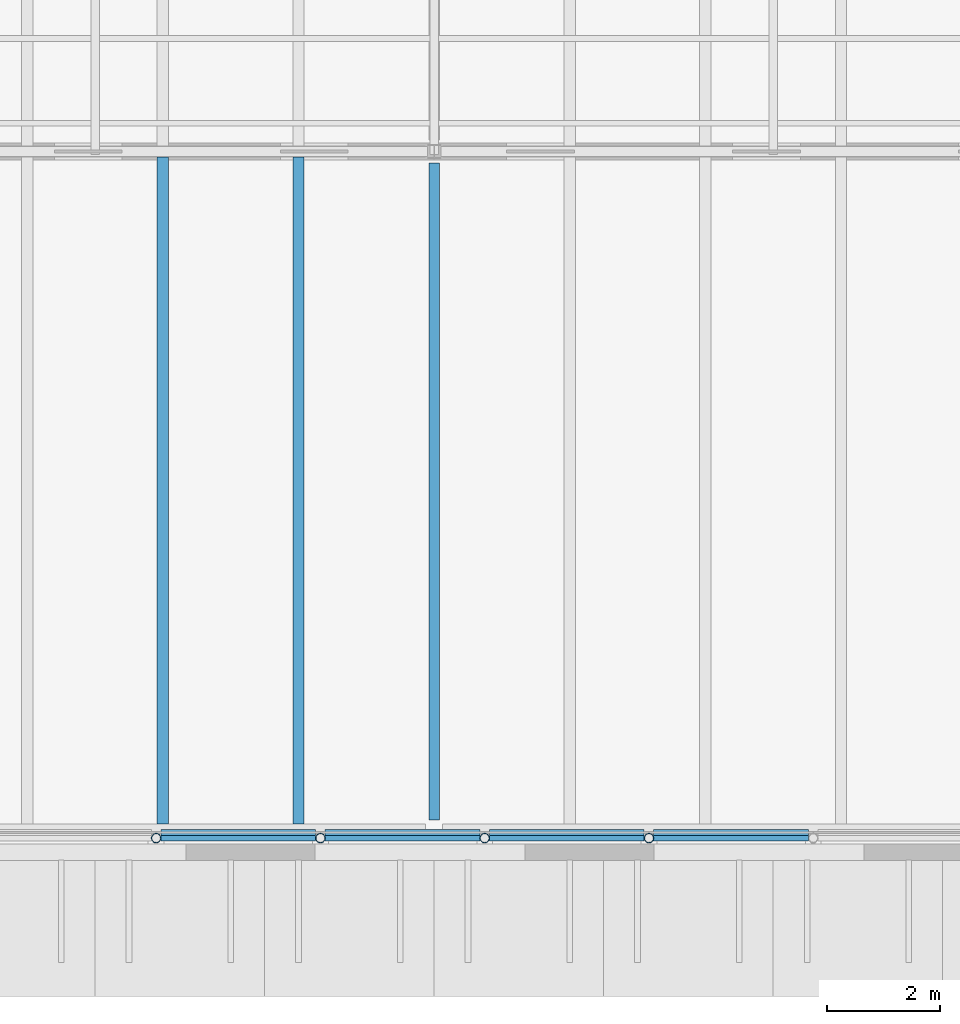
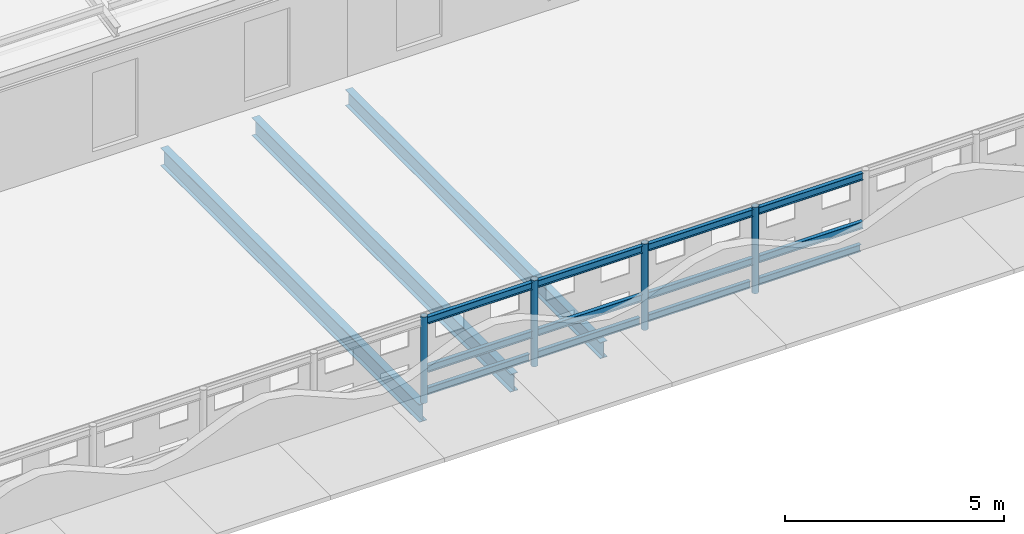
# One storey, part 29 of 91: 16 members, 3 beams.
"""IFC4 building model written with IfcOpenShell, lengths in metres."""

from ifc_helpers import new_model, si_unit, direction, frame, origin, origin_2d, place, context, subcontext, project, spatial, hollow_circle, i_section, extrude, material, material_profile, profile_set, type_object, element, save


model = new_model("IFC4")

# Units and contexts
model_context = context("Model", 3, precision=1e-05, world=origin(), true_north=direction((0.0, 1.0)))
body_context = subcontext(model_context, "Body", "Model", "MODEL_VIEW")
ifc_project = project(units=[si_unit("LENGTHUNIT", "METRE"), si_unit("AREAUNIT", "SQUARE_METRE"), si_unit("VOLUMEUNIT", "CUBIC_METRE"), si_unit("PLANEANGLEUNIT", "RADIAN"), si_unit("MASSUNIT", "GRAM", prefix="KILO")], contexts=[model_context])

# Site, building, storey
site_placement = place(None, origin())
site = spatial("IfcSite", under=ifc_project, at=site_placement, CompositionType="ELEMENT")
building_placement = place(site_placement, origin())
building = spatial("IfcBuilding", under=site, at=building_placement, Name="Ravi Spectrum Wholesale Market", CompositionType="ELEMENT")
storey_placement = place(building_placement, frame((0.0, 0.0, 16.199951171875)))
storey = spatial("IfcBuildingStorey", under=building, at=storey_placement, Name="ROOF PLANT LEVEL", CompositionType="ELEMENT", Elevation=16.199951171875)

# Members
ifc_material_1 = material(Name="Steel S355", Category="steel")
ifc_material_profile_1 = material_profile(ifc_material_1, hollow_circle(Radius=0.084228515625, WallThickness=0.00634765625, at=origin_2d()))
ifc_profile_set_1 = profile_set([ifc_material_profile_1], Name="Steel S355")
member_type_1 = type_object("IfcMemberType", Name="CHS 168.3x6.3 post", PredefinedType="POST", material=ifc_profile_set_1)
for number, where, z_axis, x_axis, name in (
    (1, (253.0810546875, 17.85009765625, 0.0), (0.0, 0.0, 1.0), (1.0, 0.0, 0.0), "CS-MB-ROOF-020"),
    (2, (255.988037109375, 17.85009765625, 0.0), (0.0, 0.0, 1.0), (1.0, 0.0, 0.0), "CS-MB-ROOF-021"),
    (3, (258.894775390625, 17.85009765625, 0.0), (0.0, 0.0, 1.0), (1.0, 0.0, 0.0), "CS-MB-ROOF-022"),
    (4, (261.8017578125, 17.85009765625, 0.0), (0.0, 0.0, 1.0), (1.0, 0.0, 0.0), "CS-MB-ROOF-023"),
):
    element("IfcMember", number, at=place(storey_placement, frame(where, z_axis=z_axis, x_axis=x_axis)), inside=storey, type_object=member_type_1, Name=name, PredefinedType="POST", context=body_context, shape_type="SweptSolid", body=[
        extrude(hollow_circle(Radius=0.084228515625, WallThickness=0.00634765625, at=origin_2d()), origin(), (0.0, 0.0, 1.0), 2.400146484375),
    ])
ifc_material_2 = material(Name="Steel S355", Category="steel")
ifc_material_profile_2 = material_profile(ifc_material_2, i_section(OverallWidth=0.10009765625, OverallDepth=0.199951171875, WebThickness=0.005615234375, FlangeThickness=0.008544921875, at=origin_2d()))
ifc_profile_set_2 = profile_set([ifc_material_profile_2], Name="Steel S355")
member_type_2 = type_object("IfcMemberType", Name="IPE 200 purlin", PredefinedType="PURLIN", material=ifc_profile_set_2)
for number, where, z_axis, x_axis, name in (
    (5, (253.165283203125, 17.85009765625, 0.900146484375), (1.0, 0.0, 0.0), (0.0, 1.0, 0.0), "CS-MB-ROOF-150"),
    (6, (253.165283203125, 17.85009765625, 2.25), (1.0, 0.0, 0.0), (0.0, 1.0, 0.0), "CS-MB-ROOF-151"),
    (7, (253.165283203125, 17.94921875, 0.199951171875), (1.0, 0.0, 0.0), (0.0, 1.0, 0.0), "CS-MB-ROOF-152"),
):
    element("IfcMember", number, at=place(storey_placement, frame(where, z_axis=z_axis, x_axis=x_axis)), inside=storey, type_object=member_type_2, Name=name, PredefinedType="PURLIN", context=body_context, shape_type="SweptSolid", body=[
        extrude(i_section(OverallWidth=0.10009765625, OverallDepth=0.199951171875, WebThickness=0.005615234375, FlangeThickness=0.008544921875, at=origin_2d()), origin(), (0.0, 0.0, 1.0), 2.738525390625),
    ])
for number, where, z_axis, x_axis, name in (
    (8, (256.072021484375, 17.85009765625, 0.900146484375), (1.0, 0.0, 0.0), (0.0, 1.0, 0.0), "CS-MB-ROOF-153"),
    (9, (256.072021484375, 17.85009765625, 2.25), (1.0, 0.0, 0.0), (0.0, 1.0, 0.0), "CS-MB-ROOF-154"),
    (10, (256.072021484375, 17.94921875, 0.199951171875), (1.0, 0.0, 0.0), (0.0, 1.0, 0.0), "CS-MB-ROOF-155"),
):
    element("IfcMember", number, at=place(storey_placement, frame(where, z_axis=z_axis, x_axis=x_axis)), inside=storey, type_object=member_type_2, Name=name, PredefinedType="PURLIN", context=body_context, shape_type="SweptSolid", body=[
        extrude(i_section(OverallWidth=0.10009765625, OverallDepth=0.199951171875, WebThickness=0.005615234375, FlangeThickness=0.008544921875, at=origin_2d()), origin(), (0.0, 0.0, 1.0), 2.73876953125),
    ])
for number, where, z_axis, x_axis, name in (
    (11, (258.97900390625, 17.85009765625, 0.900146484375), (1.0, 0.0, 0.0), (0.0, 1.0, 0.0), "CS-MB-ROOF-156"),
    (12, (258.97900390625, 17.85009765625, 2.25), (1.0, 0.0, 0.0), (0.0, 1.0, 0.0), "CS-MB-ROOF-157"),
    (13, (258.97900390625, 17.94921875, 0.199951171875), (1.0, 0.0, 0.0), (0.0, 1.0, 0.0), "CS-MB-ROOF-158"),
    (14, (261.885986328125, 17.85009765625, 0.900146484375), (1.0, 0.0, 0.0), (0.0, 1.0, 0.0), "CS-MB-ROOF-159"),
    (15, (261.885986328125, 17.85009765625, 2.25), (1.0, 0.0, 0.0), (0.0, 1.0, 0.0), "CS-MB-ROOF-160"),
    (16, (261.885986328125, 17.94921875, 0.199951171875), (1.0, 0.0, 0.0), (0.0, 1.0, 0.0), "CS-MB-ROOF-161"),
):
    element("IfcMember", number, at=place(storey_placement, frame(where, z_axis=z_axis, x_axis=x_axis)), inside=storey, type_object=member_type_2, Name=name, PredefinedType="PURLIN", context=body_context, shape_type="SweptSolid", body=[
        extrude(i_section(OverallWidth=0.10009765625, OverallDepth=0.199951171875, WebThickness=0.005615234375, FlangeThickness=0.008544921875, at=origin_2d()), origin(), (0.0, 0.0, 1.0), 2.738525390625),
    ])

# Beams
ifc_material_3 = material(Name="Steel S355", Category="steel")
ifc_material_profile_3 = material_profile(ifc_material_3, i_section(OverallWidth=0.18994140625, OverallDepth=0.449951171875, WebThickness=0.009521484375, FlangeThickness=0.0146484375, at=origin_2d()))
ifc_profile_set_3 = profile_set([ifc_material_profile_3], Name="Steel S355")
beam_type_1 = type_object("IfcBeamType", Name="IPE 450 girder", PredefinedType="BEAM", material=ifc_profile_set_3)
beam_placement = place(storey_placement, frame((258.0, 18.169921875, -0.474853515625), z_axis=(0.0, 1.0, 0.0), x_axis=(-1.0, 0.0, 0.0)))
element("IfcBeam", 17, at=beam_placement, inside=storey, type_object=beam_type_1, Name="CS-BM-ROOF-055", PredefinedType="BEAM", context=body_context, shape_type="SweptSolid", body=[
    extrude(i_section(OverallWidth=0.18994140625, OverallDepth=0.449951171875, WebThickness=0.009521484375, FlangeThickness=0.0146484375, at=origin_2d()), origin(), (0.0, 0.0, 1.0), 11.630126953125),
])
ifc_material_4 = material(Name="Steel S355", Category="steel")
ifc_material_profile_4 = material_profile(ifc_material_4, i_section(OverallWidth=0.199951171875, OverallDepth=0.5, WebThickness=0.01025390625, FlangeThickness=0.01611328125, at=origin_2d()))
ifc_profile_set_4 = profile_set([ifc_material_profile_4], Name="Steel S355")
beam_type_2 = type_object("IfcBeamType", Name="IPE 500 beam", PredefinedType="BEAM", material=ifc_profile_set_4)
for number, where, z_axis, x_axis, name in (
    (18, (253.199951171875, 18.10009765625, -0.5), (0.0, 1.0, 0.0), (-1.0, 0.0, 0.0), "CS-BM-ROOF-134"),
    (19, (255.60009765625, 18.10009765625, -0.5), (0.0, 1.0, 0.0), (-1.0, 0.0, 0.0), "CS-BM-ROOF-135"),
):
    element("IfcBeam", number, at=place(storey_placement, frame(where, z_axis=z_axis, x_axis=x_axis)), inside=storey, type_object=beam_type_2, Name=name, PredefinedType="BEAM", context=body_context, shape_type="SweptSolid", body=[
        extrude(i_section(OverallWidth=0.199951171875, OverallDepth=0.5, WebThickness=0.01025390625, FlangeThickness=0.01611328125, at=origin_2d()), origin(), (0.0, 0.0, 1.0), 11.7998046875),
    ])

save(model, "model.ifc")
